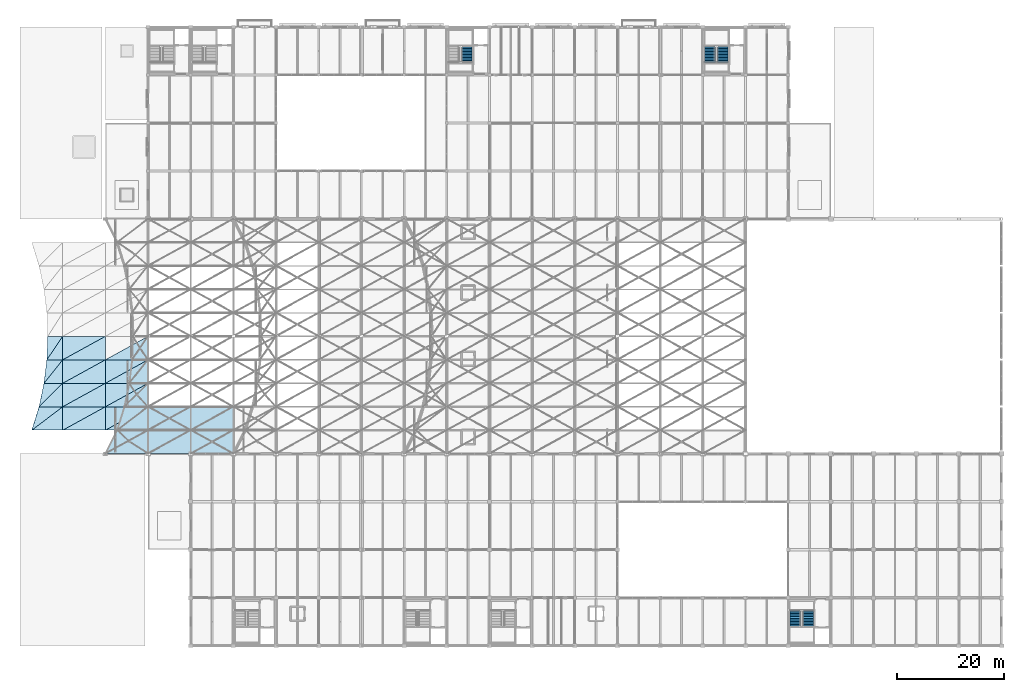
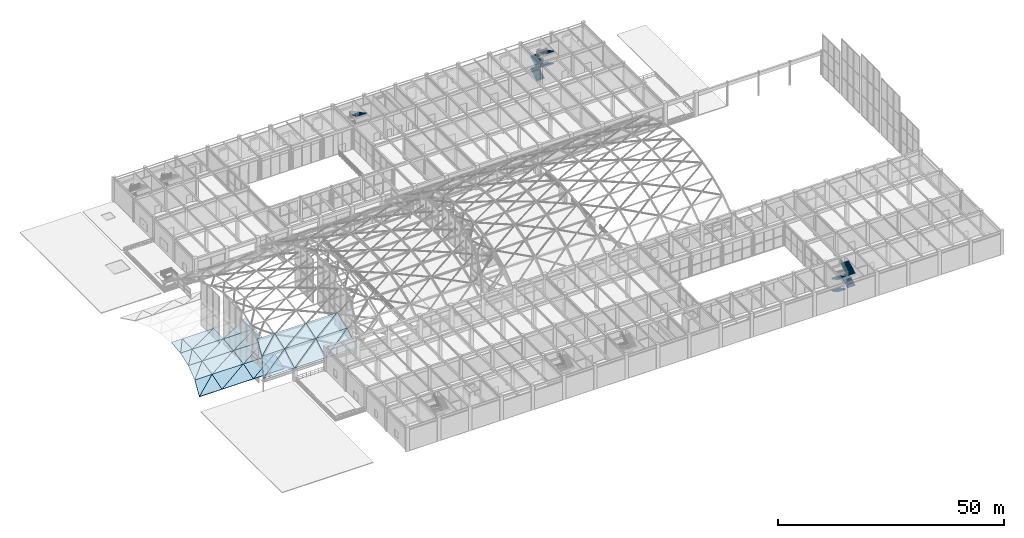
# One storey, part 137 of 163: 35 roofs, 9 stair flights, 3 elements without a shape of their own.
"""IFC4 building model written with IfcOpenShell, lengths in metres."""

from ifc_helpers import new_model, si_unit, direction, frame, origin, place, context, subcontext, project, spatial, polyline, outline, extrude, material, layer, layer_set, type_object, element, aggregate, save


model = new_model("IFC4")

# Units and contexts
model_context = context("Model", 3, precision=1e-05, world=origin(), true_north=direction((0.0, 1.0)))
body_context = subcontext(model_context, "Body", "Model", "MODEL_VIEW")
ifc_project = project(units=[si_unit("LENGTHUNIT", "METRE"), si_unit("AREAUNIT", "SQUARE_METRE"), si_unit("VOLUMEUNIT", "CUBIC_METRE"), si_unit("PLANEANGLEUNIT", "RADIAN"), si_unit("MASSUNIT", "GRAM", prefix="KILO")], contexts=[model_context])

# Site, building, storey
site_placement = place(None, origin())
site = spatial("IfcSite", under=ifc_project, at=site_placement, CompositionType="ELEMENT")
building_placement = place(site_placement, origin())
building = spatial("IfcBuilding", under=site, at=building_placement, Name="Varnabhumi Central Station", CompositionType="ELEMENT")
storey_placement = place(building_placement, frame((0.0, 0.0, 9.60009765625)))
storey = spatial("IfcBuildingStorey", under=building, at=storey_placement, Name="L02", CompositionType="ELEMENT", Elevation=9.60009765625)

# Stair, stair flight
ifc_material_1 = material(Name="Concrete M40", Category="concrete")
stair_type = type_object("IfcStairType", Name="STR-CORE-6600", PredefinedType="DOUBLE_RETURN_STAIR", material=ifc_material_1)
stair_1_placement = place(storey_placement, origin())
stair_1 = element("IfcStair", 1, at=stair_1_placement, inside=storey, type_object=stair_type, Name="Core Stair ST-N2 (L02)", PredefinedType="DOUBLE_RETURN_STAIR")
stair_flight_type = type_object("IfcStairFlightType", Name="FLT-CORE-6600", PredefinedType="STRAIGHT", material=ifc_material_1)
stair_flight_1_placement = place(storey_placement, frame((83.75, 112.27001953125, 4.949951171875), z_axis=(0.0, 0.0, 1.0), x_axis=(0.0, -1.0, 0.0)))
stair_flight_1 = element("IfcStairFlight", 2, at=stair_flight_1_placement, type_object=stair_flight_type, Name="ST-N2 L02 Flight 4", NumberOfRisers=11, NumberOfTreads=10, PredefinedType="STRAIGHT", RiserHeight=0.15, TreadLength=0.285, context=body_context, shape_type="SweptSolid", body=[
    extrude(outline(polyline([(-0.06005859375, -0.080078125), (-0.06005859375, 0.0), (0.0, 0.0), (0.0, 0.14990234375), (0.284912109375, 0.14990234375), (0.284912109375, 0.300048828125), (0.570068359375, 0.300048828125), (0.570068359375, 0.449951171875), (0.85498046875, 0.449951171875), (0.85498046875, 0.60009765625), (1.139892578125, 0.60009765625), (1.139892578125, 0.75), (1.425048828125, 0.75), (1.425048828125, 0.89990234375), (1.7099609375, 0.89990234375), (1.7099609375, 1.050048828125), (1.9951171875, 1.050048828125), (1.9951171875, 1.199951171875), (2.280029296875, 1.199951171875), (2.280029296875, 1.35009765625), (2.56494140625, 1.35009765625), (2.56494140625, 1.5), (2.85009765625, 1.5), (2.85009765625, 1.64990234375), (2.909912109375, 1.64990234375), (2.909912109375, 1.489990234375), (2.85009765625, 1.3193359375), (0.34326171875, -0.080078125), (-0.06005859375, -0.080078125)])), frame((0.0, 1.0, 0.0), z_axis=(0.0, -1.0, 0.0), x_axis=(1.0, 0.0, 0.0)), (0.0, 0.0, 1.0), 2.0),
])
aggregate(stair_1, [stair_flight_1])

# Stair, stair flights
stair_2_placement = place(storey_placement, origin())
stair_2 = element("IfcStair", 3, at=stair_2_placement, inside=storey, type_object=stair_type, Name="Core Stair ST-N3 (L02)", PredefinedType="DOUBLE_RETURN_STAIR")
stair_flight_2_placement = place(storey_placement, frame((129.35009765625, 109.419921875, 0.0), z_axis=(0.0, 0.0, 1.0), x_axis=(0.0, 1.0, 0.0)))
stair_flight_2 = element("IfcStairFlight", 4, at=stair_flight_2_placement, type_object=stair_flight_type, Name="ST-N3 L02 Flight 1", NumberOfRisers=11, NumberOfTreads=10, PredefinedType="STRAIGHT", RiserHeight=0.15, TreadLength=0.285, context=body_context, shape_type="SweptSolid", body=[
    extrude(outline(polyline([(-0.06005859375, -0.080078125), (-0.06005859375, 0.0), (0.0, 0.0), (0.0, 0.14990234375), (0.284912109375, 0.14990234375), (0.284912109375, 0.300048828125), (0.570068359375, 0.300048828125), (0.570068359375, 0.449951171875), (0.85498046875, 0.449951171875), (0.85498046875, 0.60009765625), (1.139892578125, 0.60009765625), (1.139892578125, 0.75), (1.425048828125, 0.75), (1.425048828125, 0.89990234375), (1.7099609375, 0.89990234375), (1.7099609375, 1.050048828125), (1.9951171875, 1.050048828125), (1.9951171875, 1.199951171875), (2.280029296875, 1.199951171875), (2.280029296875, 1.35009765625), (2.56494140625, 1.35009765625), (2.56494140625, 1.5), (2.85009765625, 1.5), (2.85009765625, 1.64990234375), (2.909912109375, 1.64990234375), (2.909912109375, 1.489990234375), (2.85009765625, 1.3193359375), (0.34326171875, -0.080078125), (-0.06005859375, -0.080078125)])), frame((0.0, 1.0, 0.0), z_axis=(0.0, -1.0, 0.0), x_axis=(1.0, 0.0, 0.0)), (0.0, 0.0, 1.0), 2.0),
])
stair_flight_3_placement = place(storey_placement, frame((131.75, 112.27001953125, 1.64990234375), z_axis=(0.0, 0.0, 1.0), x_axis=(0.0, -1.0, 0.0)))
stair_flight_3 = element("IfcStairFlight", 5, at=stair_flight_3_placement, type_object=stair_flight_type, Name="ST-N3 L02 Flight 2", NumberOfRisers=11, NumberOfTreads=10, PredefinedType="STRAIGHT", RiserHeight=0.15, TreadLength=0.285, context=body_context, shape_type="SweptSolid", body=[
    extrude(outline(polyline([(-0.06005859375, -0.080078125), (-0.06005859375, 0.0), (0.0, 0.0), (0.0, 0.14990234375), (0.284912109375, 0.14990234375), (0.284912109375, 0.300048828125), (0.570068359375, 0.300048828125), (0.570068359375, 0.449951171875), (0.85498046875, 0.449951171875), (0.85498046875, 0.60009765625), (1.139892578125, 0.60009765625), (1.139892578125, 0.75), (1.425048828125, 0.75), (1.425048828125, 0.89990234375), (1.7099609375, 0.89990234375), (1.7099609375, 1.050048828125), (1.9951171875, 1.050048828125), (1.9951171875, 1.199951171875), (2.280029296875, 1.199951171875), (2.280029296875, 1.35009765625), (2.56494140625, 1.35009765625), (2.56494140625, 1.5), (2.85009765625, 1.5), (2.85009765625, 1.64990234375), (2.909912109375, 1.64990234375), (2.909912109375, 1.489990234375), (2.85009765625, 1.3193359375), (0.34326171875, -0.080078125), (-0.06005859375, -0.080078125)])), frame((0.0, 1.0, 0.0), z_axis=(0.0, -1.0, 0.0), x_axis=(1.0, 0.0, 0.0)), (0.0, 0.0, 1.0), 2.0),
])
stair_flight_4_placement = place(storey_placement, frame((129.35009765625, 109.419921875, 3.2998046875), z_axis=(0.0, 0.0, 1.0), x_axis=(0.0, 1.0, 0.0)))
stair_flight_4 = element("IfcStairFlight", 6, at=stair_flight_4_placement, type_object=stair_flight_type, Name="ST-N3 L02 Flight 3", NumberOfRisers=11, NumberOfTreads=10, PredefinedType="STRAIGHT", RiserHeight=0.15, TreadLength=0.285, context=body_context, shape_type="SweptSolid", body=[
    extrude(outline(polyline([(-0.06005859375, -0.080078125), (-0.06005859375, 0.0), (0.0, 0.0), (0.0, 0.14990234375), (0.284912109375, 0.14990234375), (0.284912109375, 0.300048828125), (0.570068359375, 0.300048828125), (0.570068359375, 0.449951171875), (0.85498046875, 0.449951171875), (0.85498046875, 0.60009765625), (1.139892578125, 0.60009765625), (1.139892578125, 0.75), (1.425048828125, 0.75), (1.425048828125, 0.89990234375), (1.7099609375, 0.89990234375), (1.7099609375, 1.050048828125), (1.9951171875, 1.050048828125), (1.9951171875, 1.199951171875), (2.280029296875, 1.199951171875), (2.280029296875, 1.35009765625), (2.56494140625, 1.35009765625), (2.56494140625, 1.5), (2.85009765625, 1.5), (2.85009765625, 1.64990234375), (2.909912109375, 1.64990234375), (2.909912109375, 1.489990234375), (2.85009765625, 1.3193359375), (0.34326171875, -0.080078125), (-0.06005859375, -0.080078125)])), frame((0.0, 1.0, 0.0), z_axis=(0.0, -1.0, 0.0), x_axis=(1.0, 0.0, 0.0)), (0.0, 0.0, 1.0), 2.0),
])
stair_flight_5_placement = place(storey_placement, frame((131.75, 112.27001953125, 4.949951171875), z_axis=(0.0, 0.0, 1.0), x_axis=(0.0, -1.0, 0.0)))
stair_flight_5 = element("IfcStairFlight", 7, at=stair_flight_5_placement, type_object=stair_flight_type, Name="ST-N3 L02 Flight 4", NumberOfRisers=11, NumberOfTreads=10, PredefinedType="STRAIGHT", RiserHeight=0.15, TreadLength=0.285, context=body_context, shape_type="SweptSolid", body=[
    extrude(outline(polyline([(-0.06005859375, -0.080078125), (-0.06005859375, 0.0), (0.0, 0.0), (0.0, 0.14990234375), (0.284912109375, 0.14990234375), (0.284912109375, 0.300048828125), (0.570068359375, 0.300048828125), (0.570068359375, 0.449951171875), (0.85498046875, 0.449951171875), (0.85498046875, 0.60009765625), (1.139892578125, 0.60009765625), (1.139892578125, 0.75), (1.425048828125, 0.75), (1.425048828125, 0.89990234375), (1.7099609375, 0.89990234375), (1.7099609375, 1.050048828125), (1.9951171875, 1.050048828125), (1.9951171875, 1.199951171875), (2.280029296875, 1.199951171875), (2.280029296875, 1.35009765625), (2.56494140625, 1.35009765625), (2.56494140625, 1.5), (2.85009765625, 1.5), (2.85009765625, 1.64990234375), (2.909912109375, 1.64990234375), (2.909912109375, 1.489990234375), (2.85009765625, 1.3193359375), (0.34326171875, -0.080078125), (-0.06005859375, -0.080078125)])), frame((0.0, 1.0, 0.0), z_axis=(0.0, -1.0, 0.0), x_axis=(1.0, 0.0, 0.0)), (0.0, 0.0, 1.0), 2.0),
])
aggregate(stair_2, [stair_flight_2, stair_flight_3, stair_flight_4, stair_flight_5])

stair_3_placement = place(storey_placement, origin())
stair_3 = element("IfcStair", 8, at=stair_3_placement, inside=storey, type_object=stair_type, Name="Core Stair ST-S3 (L02)", PredefinedType="DOUBLE_RETURN_STAIR")
stair_flight_6_placement = place(storey_placement, frame((145.35009765625, 6.580078125, 0.0), z_axis=(0.0, 0.0, 1.0), x_axis=(0.0, -1.0, 0.0)))
stair_flight_6 = element("IfcStairFlight", 9, at=stair_flight_6_placement, type_object=stair_flight_type, Name="ST-S3 L02 Flight 1", NumberOfRisers=11, NumberOfTreads=10, PredefinedType="STRAIGHT", RiserHeight=0.15, TreadLength=0.285, context=body_context, shape_type="SweptSolid", body=[
    extrude(outline(polyline([(-0.06005859375, -0.080078125), (-0.06005859375, 0.0), (0.0, 0.0), (0.0, 0.14990234375), (0.284912109375, 0.14990234375), (0.284912109375, 0.300048828125), (0.570068359375, 0.300048828125), (0.570068359375, 0.449951171875), (0.85498046875, 0.449951171875), (0.85498046875, 0.60009765625), (1.139892578125, 0.60009765625), (1.139892578125, 0.75), (1.425048828125, 0.75), (1.425048828125, 0.89990234375), (1.7099609375, 0.89990234375), (1.7099609375, 1.050048828125), (1.9951171875, 1.050048828125), (1.9951171875, 1.199951171875), (2.280029296875, 1.199951171875), (2.280029296875, 1.35009765625), (2.56494140625, 1.35009765625), (2.56494140625, 1.5), (2.85009765625, 1.5), (2.85009765625, 1.64990234375), (2.909912109375, 1.64990234375), (2.909912109375, 1.489990234375), (2.85009765625, 1.3193359375), (0.34326171875, -0.080078125), (-0.06005859375, -0.080078125)])), frame((0.0, 1.0, 0.0), z_axis=(0.0, -1.0, 0.0), x_axis=(1.0, 0.0, 0.0)), (0.0, 0.0, 1.0), 2.0),
])
stair_flight_7_placement = place(storey_placement, frame((147.75, 3.72998046875, 1.64990234375), z_axis=(0.0, 0.0, 1.0), x_axis=(0.0, 1.0, 0.0)))
stair_flight_7 = element("IfcStairFlight", 10, at=stair_flight_7_placement, type_object=stair_flight_type, Name="ST-S3 L02 Flight 2", NumberOfRisers=11, NumberOfTreads=10, PredefinedType="STRAIGHT", RiserHeight=0.15, TreadLength=0.285, context=body_context, shape_type="SweptSolid", body=[
    extrude(outline(polyline([(-0.06005859375, -0.080078125), (-0.06005859375, 0.0), (0.0, 0.0), (0.0, 0.14990234375), (0.284912109375, 0.14990234375), (0.284912109375, 0.300048828125), (0.570068359375, 0.300048828125), (0.570068359375, 0.449951171875), (0.85498046875, 0.449951171875), (0.85498046875, 0.60009765625), (1.139892578125, 0.60009765625), (1.139892578125, 0.75), (1.425048828125, 0.75), (1.425048828125, 0.89990234375), (1.7099609375, 0.89990234375), (1.7099609375, 1.050048828125), (1.9951171875, 1.050048828125), (1.9951171875, 1.199951171875), (2.280029296875, 1.199951171875), (2.280029296875, 1.35009765625), (2.56494140625, 1.35009765625), (2.56494140625, 1.5), (2.85009765625, 1.5), (2.85009765625, 1.64990234375), (2.909912109375, 1.64990234375), (2.909912109375, 1.489990234375), (2.85009765625, 1.3193359375), (0.34326171875, -0.080078125), (-0.06005859375, -0.080078125)])), frame((0.0, 1.0, 0.0), z_axis=(0.0, -1.0, 0.0), x_axis=(1.0, 0.0, 0.0)), (0.0, 0.0, 1.0), 2.0),
])
stair_flight_8_placement = place(storey_placement, frame((145.35009765625, 6.580078125, 3.2998046875), z_axis=(0.0, 0.0, 1.0), x_axis=(0.0, -1.0, 0.0)))
stair_flight_8 = element("IfcStairFlight", 11, at=stair_flight_8_placement, type_object=stair_flight_type, Name="ST-S3 L02 Flight 3", NumberOfRisers=11, NumberOfTreads=10, PredefinedType="STRAIGHT", RiserHeight=0.15, TreadLength=0.285, context=body_context, shape_type="SweptSolid", body=[
    extrude(outline(polyline([(-0.06005859375, -0.080078125), (-0.06005859375, 0.0), (0.0, 0.0), (0.0, 0.14990234375), (0.284912109375, 0.14990234375), (0.284912109375, 0.300048828125), (0.570068359375, 0.300048828125), (0.570068359375, 0.449951171875), (0.85498046875, 0.449951171875), (0.85498046875, 0.60009765625), (1.139892578125, 0.60009765625), (1.139892578125, 0.75), (1.425048828125, 0.75), (1.425048828125, 0.89990234375), (1.7099609375, 0.89990234375), (1.7099609375, 1.050048828125), (1.9951171875, 1.050048828125), (1.9951171875, 1.199951171875), (2.280029296875, 1.199951171875), (2.280029296875, 1.35009765625), (2.56494140625, 1.35009765625), (2.56494140625, 1.5), (2.85009765625, 1.5), (2.85009765625, 1.64990234375), (2.909912109375, 1.64990234375), (2.909912109375, 1.489990234375), (2.85009765625, 1.3193359375), (0.34326171875, -0.080078125), (-0.06005859375, -0.080078125)])), frame((0.0, 1.0, 0.0), z_axis=(0.0, -1.0, 0.0), x_axis=(1.0, 0.0, 0.0)), (0.0, 0.0, 1.0), 2.0),
])
stair_flight_9_placement = place(storey_placement, frame((147.75, 3.72998046875, 4.949951171875), z_axis=(0.0, 0.0, 1.0), x_axis=(0.0, 1.0, 0.0)))
stair_flight_9 = element("IfcStairFlight", 12, at=stair_flight_9_placement, type_object=stair_flight_type, Name="ST-S3 L02 Flight 4", NumberOfRisers=11, NumberOfTreads=10, PredefinedType="STRAIGHT", RiserHeight=0.15, TreadLength=0.285, context=body_context, shape_type="SweptSolid", body=[
    extrude(outline(polyline([(-0.06005859375, -0.080078125), (-0.06005859375, 0.0), (0.0, 0.0), (0.0, 0.14990234375), (0.284912109375, 0.14990234375), (0.284912109375, 0.300048828125), (0.570068359375, 0.300048828125), (0.570068359375, 0.449951171875), (0.85498046875, 0.449951171875), (0.85498046875, 0.60009765625), (1.139892578125, 0.60009765625), (1.139892578125, 0.75), (1.425048828125, 0.75), (1.425048828125, 0.89990234375), (1.7099609375, 0.89990234375), (1.7099609375, 1.050048828125), (1.9951171875, 1.050048828125), (1.9951171875, 1.199951171875), (2.280029296875, 1.199951171875), (2.280029296875, 1.35009765625), (2.56494140625, 1.35009765625), (2.56494140625, 1.5), (2.85009765625, 1.5), (2.85009765625, 1.64990234375), (2.909912109375, 1.64990234375), (2.909912109375, 1.489990234375), (2.85009765625, 1.3193359375), (0.34326171875, -0.080078125), (-0.06005859375, -0.080078125)])), frame((0.0, 1.0, 0.0), z_axis=(0.0, -1.0, 0.0), x_axis=(1.0, 0.0, 0.0)), (0.0, 0.0, 1.0), 2.0),
])
aggregate(stair_3, [stair_flight_6, stair_flight_7, stair_flight_8, stair_flight_9])

# Roofs
ifc_material_2 = material(Name="Champagne bronze diamond metal panel")
ifc_layer = layer(ifc_material_2, 0.159912109375, Name="Champagne bronze diamond metal panel")
ifc_layer_set = layer_set([ifc_layer], Name="Champagne bronze diamond metal panel")
roof_type = type_object("IfcRoofType", Name="ROOF-VAULT-BARREL", PredefinedType="BARREL_ROOF", material=ifc_layer_set)
roof_1_placement = place(storey_placement, frame((2.2138671875, 40.39990234375, 0.593505859375), z_axis=(0.0, -0.295947424057, 0.95520423062), x_axis=(1.0, 0.0, 0.0)))
element("IfcRoof", 13, at=roof_1_placement, inside=storey, type_object=roof_type, Name="Forecourt Arrival Canopy Vault Diamond Shell Panel 1-2A", PredefinedType="BARREL_ROOF", context=body_context, shape_type="SweptSolid", body=[
    extrude(outline(polyline([(0.0, 0.0), (5.7861328125, 0.0), (5.7861328125, 4.60649811142469), (0.0, 0.0)])), origin(), (0.0, 0.0, -1.0), 0.159912109375),
])
roof_2_placement = place(storey_placement, frame((2.2138671875, 40.39990234375, 0.593505859375), z_axis=(0.0, -0.295947424057, 0.95520423062), x_axis=(0.782344580345, 0.594944994581, 0.184329626019)))
element("IfcRoof", 14, at=roof_2_placement, inside=storey, type_object=roof_type, Name="Forecourt Arrival Canopy Vault Diamond Shell Panel 1-2B", PredefinedType="BARREL_ROOF", context=body_context, shape_type="SweptSolid", body=[
    extrude(outline(polyline([(0.0, 0.0), (7.3958878962872605, 3.3306690738754696e-16), (3.9358849487894947, 2.754602695731385), (0.0, 0.0)])), origin(), (0.0, 0.0, -1.0), 0.159912109375),
])
roof_3_placement = place(storey_placement, frame((3.577392578125, 44.800048828125, 1.952880859375), z_axis=(0.0, -0.20340317008, 0.979095067091), x_axis=(1.0, 0.0, 0.0)))
element("IfcRoof", 15, at=roof_3_placement, inside=storey, type_object=roof_type, Name="Forecourt Arrival Canopy Vault Diamond Shell Panel 1-3A", PredefinedType="BARREL_ROOF", context=body_context, shape_type="SweptSolid", body=[
    extrude(outline(polyline([(0.0, 0.0), (4.422607421875, 0.0), (4.422607421875, 4.493845890597828), (0.0, 0.0)])), origin(), (0.0, 0.0, -1.0), 0.159912109375),
])
roof_4_placement = place(storey_placement, frame((3.577392578125, 44.800048828125, 1.952880859375), z_axis=(0.0, -0.20340317008, 0.979095067091), x_axis=(0.701434927713, 0.697833854112, 0.144972253346)))
element("IfcRoof", 16, at=roof_4_placement, inside=storey, type_object=roof_type, Name="Forecourt Arrival Canopy Vault Diamond Shell Panel 1-3B", PredefinedType="BARREL_ROOF", context=body_context, shape_type="SweptSolid", body=[
    extrude(outline(polyline([(0.0, 0.0), (6.305085827843015, -6.938893903907228e-16), (3.844069874191105, 2.500657502475225), (0.0, 0.0)])), origin(), (0.0, 0.0, -1.0), 0.159912109375),
])
roof_5_placement = place(storey_placement, frame((4.491455078125, 49.199951171875, 2.86474609375), z_axis=(0.0, -0.120244182838, 0.992744345989), x_axis=(1.0, 0.0, 0.0)))
element("IfcRoof", 17, at=roof_5_placement, inside=storey, type_object=roof_type, Name="Forecourt Arrival Canopy Vault Diamond Shell Panel 1-4A", PredefinedType="BARREL_ROOF", context=body_context, shape_type="SweptSolid", body=[
    extrude(outline(polyline([(0.0, 0.0), (3.508544921875, 0.0), (3.508544921875, 4.4323057614500945), (0.0, 0.0)])), origin(), (0.0, 0.0, -1.0), 0.159912109375),
])
roof_6_placement = place(storey_placement, frame((4.491455078125, 49.199951171875, 2.86474609375), z_axis=(0.0, -0.120244182838, 0.992744345989), x_axis=(0.620663381255, 0.778388151162, 0.094280715418)))
element("IfcRoof", 18, at=roof_6_placement, inside=storey, type_object=roof_type, Name="Forecourt Arrival Canopy Vault Diamond Shell Panel 1-4B", PredefinedType="BARREL_ROOF", context=body_context, shape_type="SweptSolid", body=[
    extrude(outline(polyline([(0.0, 0.0), (5.652894995645909, 6.869504964868156e-16), (3.8060577664634128, 2.3330889225130877), (0.0, 0.0)])), origin(), (0.0, 0.0, -1.0), 0.159912109375),
])
roof_7_placement = place(storey_placement, frame((5.0244140625, 53.60009765625, 3.396484375), z_axis=(0.0, -0.039919325954, 0.999202906028), x_axis=(1.0, 0.0, 0.0)))
element("IfcRoof", 19, at=roof_7_placement, inside=storey, type_object=roof_type, Name="Forecourt Arrival Canopy Vault Diamond Shell Panel 1-5A", PredefinedType="BARREL_ROOF", context=body_context, shape_type="SweptSolid", body=[
    extrude(outline(polyline([(0.0, 0.0), (2.9755859375, 0.0), (2.9755859375, 4.403412277131033), (0.0, 0.0)])), origin(), (0.0, 0.0, -1.0), 0.159912109375),
])
roof_8_placement = place(storey_placement, frame((5.0244140625, 53.60009765625, 3.396484375), z_axis=(0.0, -0.039919325954, 0.999202906028), x_axis=(0.559897118648, 0.827901696116, 0.03307564206)))
element("IfcRoof", 20, at=roof_8_placement, inside=storey, type_object=roof_type, Name="Forecourt Arrival Canopy Vault Diamond Shell Panel 1-5B", PredefinedType="BARREL_ROOF", context=body_context, shape_type="SweptSolid", body=[
    extrude(outline(polyline([(0.0, 0.0), (5.314522683537635, 1.734723475976807e-17), (3.7467834125978756, 2.320014443540699), (0.0, 0.0)])), origin(), (0.0, 0.0, -1.0), 0.159912109375),
])
roof_9_placement = place(storey_placement, frame((8.0, 40.39990234375, 0.593505859375), z_axis=(0.0, -0.295947424057, 0.95520423062), x_axis=(1.0, 0.0, 0.0)))
element("IfcRoof", 21, at=roof_9_placement, inside=storey, type_object=roof_type, Name="Forecourt Arrival Canopy Vault Diamond Shell Panel 2-2A", PredefinedType="BARREL_ROOF", context=body_context, shape_type="SweptSolid", body=[
    extrude(outline(polyline([(0.0, 0.0), (8.0, 0.0), (8.0, 4.60649811142469), (0.0, 0.0)])), origin(), (0.0, 0.0, -1.0), 0.159912109375),
])
roof_10_placement = place(storey_placement, frame((8.0, 40.39990234375, 0.593505859375), z_axis=(0.0, -0.295947424057, 0.95520423062), x_axis=(0.86660196281, 0.476646947501, 0.147677775889)))
element("IfcRoof", 22, at=roof_10_placement, inside=storey, type_object=roof_type, Name="Forecourt Arrival Canopy Vault Diamond Shell Panel 2-2B", PredefinedType="BARREL_ROOF", context=body_context, shape_type="SweptSolid", body=[
    extrude(outline(polyline([(0.0, 0.0), (9.23145843572722, 4.996003610813204e-16), (2.2986427332473407, 3.9920003050411244), (0.0, 0.0)])), origin(), (0.0, 0.0, -1.0), 0.159912109375),
])
roof_11_placement = place(storey_placement, frame((8.0, 44.800048828125, 1.952880859375), z_axis=(0.0, -0.20340317008, 0.979095067091), x_axis=(1.0, 0.0, 0.0)))
element("IfcRoof", 23, at=roof_11_placement, inside=storey, type_object=roof_type, Name="Forecourt Arrival Canopy Vault Diamond Shell Panel 2-3A", PredefinedType="BARREL_ROOF", context=body_context, shape_type="SweptSolid", body=[
    extrude(outline(polyline([(0.0, 0.0), (8.0, 0.0), (8.0, 4.493845890597829), (0.0, 0.0)])), origin(), (0.0, 0.0, -1.0), 0.159912109375),
])
roof_12_placement = place(storey_placement, frame((8.0, 44.800048828125, 1.952880859375), z_axis=(0.0, -0.20340317008, 0.979095067091), x_axis=(0.871861974597, 0.479513443182, 0.099617042019)))
element("IfcRoof", 24, at=roof_12_placement, inside=storey, type_object=roof_type, Name="Forecourt Arrival Canopy Vault Diamond Shell Panel 2-3B", PredefinedType="BARREL_ROOF", context=body_context, shape_type="SweptSolid", body=[
    extrude(outline(polyline([(0.0, 0.0), (9.175764321757779, -3.3306690738754696e-16), (2.20086852498565, 3.9180133517090625), (0.0, 0.0)])), origin(), (0.0, 0.0, -1.0), 0.159912109375),
])
roof_13_placement = place(storey_placement, frame((8.0, 49.199951171875, 2.86474609375), z_axis=(0.0, -0.120244182838, 0.992744345989), x_axis=(1.0, 0.0, 0.0)))
element("IfcRoof", 25, at=roof_13_placement, inside=storey, type_object=roof_type, Name="Forecourt Arrival Canopy Vault Diamond Shell Panel 2-4A", PredefinedType="BARREL_ROOF", context=body_context, shape_type="SweptSolid", body=[
    extrude(outline(polyline([(0.0, 0.0), (8.0, 0.0), (8.0, 4.4323057614500945), (0.0, 0.0)])), origin(), (0.0, 0.0, -1.0), 0.159912109375),
])
roof_14_placement = place(storey_placement, frame((8.0, 49.199951171875, 2.86474609375), z_axis=(0.0, -0.120244182838, 0.992744345989), x_axis=(0.874720140327, 0.481112093784, 0.0582737447)))
element("IfcRoof", 26, at=roof_14_placement, inside=storey, type_object=roof_type, Name="Forecourt Arrival Canopy Vault Diamond Shell Panel 2-4B", PredefinedType="BARREL_ROOF", context=body_context, shape_type="SweptSolid", body=[
    extrude(outline(polyline([(0.0, 0.0), (9.14578232645976, 4.85722573273506e-17), (2.1480212038447033, 3.877027117627275), (0.0, 0.0)])), origin(), (0.0, 0.0, -1.0), 0.159912109375),
])
roof_15_placement = place(storey_placement, frame((8.0, 53.60009765625, 3.396484375), z_axis=(0.0, -0.039919325954, 0.999202906028), x_axis=(1.0, 0.0, 0.0)))
element("IfcRoof", 27, at=roof_15_placement, inside=storey, type_object=roof_type, Name="Forecourt Arrival Canopy Vault Diamond Shell Panel 2-5A", PredefinedType="BARREL_ROOF", context=body_context, shape_type="SweptSolid", body=[
    extrude(outline(polyline([(0.0, 0.0), (8.0, 0.0), (8.0, 4.403412277131033), (0.0, 0.0)])), origin(), (0.0, 0.0, -1.0), 0.159912109375),
])
roof_16_placement = place(storey_placement, frame((8.0, 53.60009765625, 3.396484375), z_axis=(0.0, -0.039919325954, 0.999202906028), x_axis=(0.876058074368, 0.481821246834, 0.019249322923)))
element("IfcRoof", 28, at=roof_16_placement, inside=storey, type_object=roof_type, Name="Forecourt Arrival Canopy Vault Diamond Shell Panel 2-5B", PredefinedType="BARREL_ROOF", context=body_context, shape_type="SweptSolid", body=[
    extrude(outline(polyline([(0.0, 0.0), (9.131814698206941, 2.3418766925686896e-17), (2.123350103259936, 3.8576448801534764), (0.0, 0.0)])), origin(), (0.0, 0.0, -1.0), 0.159912109375),
])
roof_17_placement = place(storey_placement, frame((16.0, 40.39990234375, 0.593505859375), z_axis=(0.0, -0.295947424057, 0.95520423062), x_axis=(1.0, 0.0, 0.0)))
element("IfcRoof", 29, at=roof_17_placement, inside=storey, type_object=roof_type, Name="Forecourt Arrival Canopy Vault Diamond Shell Panel 3-2A", PredefinedType="BARREL_ROOF", context=body_context, shape_type="SweptSolid", body=[
    extrude(outline(polyline([(0.0, 0.0), (8.0, 0.0), (8.0, 4.60649811142469), (0.0, 0.0)])), origin(), (0.0, 0.0, -1.0), 0.159912109375),
])
roof_18_placement = place(storey_placement, frame((16.0, 40.39990234375, 0.593505859375), z_axis=(0.0, -0.295947424057, 0.95520423062), x_axis=(0.86660196281, 0.476646947501, 0.147677775889)))
element("IfcRoof", 30, at=roof_18_placement, inside=storey, type_object=roof_type, Name="Forecourt Arrival Canopy Vault Diamond Shell Panel 3-2B", PredefinedType="BARREL_ROOF", context=body_context, shape_type="SweptSolid", body=[
    extrude(outline(polyline([(0.0, 0.0), (9.23145843572722, 4.996003610813204e-16), (2.2986427332473407, 3.9920003050411244), (0.0, 0.0)])), origin(), (0.0, 0.0, -1.0), 0.159912109375),
])
roof_19_placement = place(storey_placement, frame((16.0, 44.800048828125, 1.952880859375), z_axis=(0.0, -0.20340317008, 0.979095067091), x_axis=(1.0, 0.0, 0.0)))
element("IfcRoof", 31, at=roof_19_placement, inside=storey, type_object=roof_type, Name="Forecourt Arrival Canopy Vault Diamond Shell Panel 3-3A", PredefinedType="BARREL_ROOF", context=body_context, shape_type="SweptSolid", body=[
    extrude(outline(polyline([(0.0, 0.0), (8.0, 0.0), (8.0, 4.493845890597829), (0.0, 0.0)])), origin(), (0.0, 0.0, -1.0), 0.159912109375),
])
roof_20_placement = place(storey_placement, frame((16.0, 44.800048828125, 1.952880859375), z_axis=(0.0, -0.20340317008, 0.979095067091), x_axis=(0.871861974597, 0.479513443182, 0.099617042019)))
element("IfcRoof", 32, at=roof_20_placement, inside=storey, type_object=roof_type, Name="Forecourt Arrival Canopy Vault Diamond Shell Panel 3-3B", PredefinedType="BARREL_ROOF", context=body_context, shape_type="SweptSolid", body=[
    extrude(outline(polyline([(0.0, 0.0), (9.175764321757779, -3.3306690738754696e-16), (2.20086852498565, 3.9180133517090625), (0.0, 0.0)])), origin(), (0.0, 0.0, -1.0), 0.159912109375),
])
roof_21_placement = place(storey_placement, frame((16.0, 49.199951171875, 2.86474609375), z_axis=(0.0, -0.120244182838, 0.992744345989), x_axis=(1.0, 0.0, 0.0)))
element("IfcRoof", 33, at=roof_21_placement, inside=storey, type_object=roof_type, Name="Forecourt Arrival Canopy Vault Diamond Shell Panel 3-4A", PredefinedType="BARREL_ROOF", context=body_context, shape_type="SweptSolid", body=[
    extrude(outline(polyline([(0.0, 0.0), (8.0, 0.0), (8.0, 4.4323057614500945), (0.0, 0.0)])), origin(), (0.0, 0.0, -1.0), 0.159912109375),
])
roof_22_placement = place(storey_placement, frame((16.0, 49.199951171875, 2.86474609375), z_axis=(0.0, -0.120244182838, 0.992744345989), x_axis=(0.874720140327, 0.481112093784, 0.0582737447)))
element("IfcRoof", 34, at=roof_22_placement, inside=storey, type_object=roof_type, Name="Forecourt Arrival Canopy Vault Diamond Shell Panel 3-4B", PredefinedType="BARREL_ROOF", context=body_context, shape_type="SweptSolid", body=[
    extrude(outline(polyline([(0.0, 0.0), (9.14578232645976, 4.85722573273506e-17), (2.1480212038447033, 3.877027117627275), (0.0, 0.0)])), origin(), (0.0, 0.0, -1.0), 0.159912109375),
])
roof_23_placement = place(storey_placement, frame((16.0, 53.60009765625, 3.396484375), z_axis=(0.0, -0.039919325954, 0.999202906028), x_axis=(1.0, 0.0, 0.0)))
element("IfcRoof", 35, at=roof_23_placement, inside=storey, type_object=roof_type, Name="Forecourt Arrival Canopy Vault Diamond Shell Panel 3-5A", PredefinedType="BARREL_ROOF", context=body_context, shape_type="SweptSolid", body=[
    extrude(outline(polyline([(0.0, 0.0), (8.0, 0.0), (8.0, 4.403412277131033), (0.0, 0.0)])), origin(), (0.0, 0.0, -1.0), 0.159912109375),
])
roof_24_placement = place(storey_placement, frame((16.0, 36.0, 3.37158203125), z_axis=(0.0, -0.502121625762, 0.864797012565), x_axis=(1.0, 0.0, 0.0)))
element("IfcRoof", 36, at=roof_24_placement, inside=storey, type_object=roof_type, Name="Entrance Portico Vault Diamond Shell Panel 1-1A", PredefinedType="BARREL_ROOF", context=body_context, shape_type="SweptSolid", body=[
    extrude(outline(polyline([(0.0, 0.0), (8.0, 0.0), (8.0, 5.087786243268578), (0.0, 0.0)])), origin(), (0.0, 0.0, -1.0), 0.159912109375),
])
roof_25_placement = place(storey_placement, frame((16.0, 36.0, 3.37158203125), z_axis=(0.0, -0.502121625762, 0.864797012565), x_axis=(0.843810647871, 0.464085555906, 0.26945906431)))
element("IfcRoof", 37, at=roof_25_placement, inside=storey, type_object=roof_type, Name="Entrance Portico Vault Diamond Shell Panel 1-1B", PredefinedType="BARREL_ROOF", context=body_context, shape_type="SweptSolid", body=[
    extrude(outline(polyline([(0.0, 0.0), (9.480800011454361, -2.220446049250313e-16), (4.598399534271504, 3.1050762477423604), (0.0, 0.0)])), origin(), (0.0, 0.0, -1.0), 0.159912109375),
])
roof_26_placement = place(storey_placement, frame((18.2138671875, 40.39990234375, 5.9111328125), z_axis=(0.0, -0.336670653094, 0.941622467523), x_axis=(1.0, 0.0, 0.0)))
element("IfcRoof", 38, at=roof_26_placement, inside=storey, type_object=roof_type, Name="Entrance Portico Vault Diamond Shell Panel 1-2A", PredefinedType="BARREL_ROOF", context=body_context, shape_type="SweptSolid", body=[
    extrude(outline(polyline([(0.0, 0.0), (5.7861328125, 0.0), (5.7861328125, 4.6729412648232005), (0.0, 0.0)])), origin(), (0.0, 0.0, -1.0), 0.159912109375),
])
roof_27_placement = place(storey_placement, frame((18.2138671875, 40.39990234375, 5.9111328125), z_axis=(0.0, -0.336670653094, 0.941622467523), x_axis=(0.777972312021, 0.591620041331, 0.211529686863)))
element("IfcRoof", 39, at=roof_27_placement, inside=storey, type_object=roof_type, Name="Entrance Portico Vault Diamond Shell Panel 1-2B", PredefinedType="BARREL_ROOF", context=body_context, shape_type="SweptSolid", body=[
    extrude(outline(polyline([(0.0, 0.0), (7.437453394030555, 0.0), (3.996787272874645, 2.778717878942333), (0.0, 0.0)])), origin(), (0.0, 0.0, -1.0), 0.159912109375),
])
roof_28_placement = place(storey_placement, frame((24.0, 36.0, 3.37158203125), z_axis=(0.0, -0.502121625762, 0.864797012565), x_axis=(1.0, 0.0, 0.0)))
element("IfcRoof", 40, at=roof_28_placement, inside=storey, type_object=roof_type, Name="Entrance Portico Vault Diamond Shell Panel 2-1A", PredefinedType="BARREL_ROOF", context=body_context, shape_type="SweptSolid", body=[
    extrude(outline(polyline([(0.0, 0.0), (8.0, 0.0), (8.0, 5.087786243268578), (0.0, 0.0)])), origin(), (0.0, 0.0, -1.0), 0.159912109375),
])
roof_29_placement = place(storey_placement, frame((24.0, 36.0, 3.37158203125), z_axis=(0.0, -0.502121625762, 0.864797012565), x_axis=(0.843810647871, 0.464085555906, 0.26945906431)))
element("IfcRoof", 41, at=roof_29_placement, inside=storey, type_object=roof_type, Name="Entrance Portico Vault Diamond Shell Panel 2-1B", PredefinedType="BARREL_ROOF", context=body_context, shape_type="SweptSolid", body=[
    extrude(outline(polyline([(0.0, 0.0), (9.480800011454361, -2.220446049250313e-16), (2.7303148284869403, 4.293128206161252), (0.0, 0.0)])), origin(), (0.0, 0.0, -1.0), 0.159912109375),
])
roof_30_placement = place(storey_placement, frame((24.0, 40.39990234375, 5.9111328125), z_axis=(0.0, -0.336670653094, 0.941622467523), x_axis=(1.0, 0.0, 0.0)))
element("IfcRoof", 42, at=roof_30_placement, inside=storey, type_object=roof_type, Name="Entrance Portico Vault Diamond Shell Panel 2-2A", PredefinedType="BARREL_ROOF", context=body_context, shape_type="SweptSolid", body=[
    extrude(outline(polyline([(0.0, 0.0), (8.0, 0.0), (8.0, 4.6729412648232005), (0.0, 0.0)])), origin(), (0.0, 0.0, -1.0), 0.159912109375),
])
roof_31_placement = place(storey_placement, frame((24.0, 40.39990234375, 5.9111328125), z_axis=(0.0, -0.336670653094, 0.941622467523), x_axis=(0.86348399062, 0.474932005705, 0.169808680284)))
element("IfcRoof", 43, at=roof_31_placement, inside=storey, type_object=roof_type, Name="Entrance Portico Vault Diamond Shell Panel 2-2B", PredefinedType="BARREL_ROOF", context=body_context, shape_type="SweptSolid", body=[
    extrude(outline(polyline([(0.0, 0.0), (9.264792499807402, 5.551115123125783e-17), (2.3569205748473485, 4.035009971282438), (0.0, 0.0)])), origin(), (0.0, 0.0, -1.0), 0.159912109375),
])
roof_32_placement = place(storey_placement, frame((32.0, 36.0, 3.37158203125), z_axis=(0.0, -0.502121625762, 0.864797012565), x_axis=(1.0, 0.0, 0.0)))
element("IfcRoof", 44, at=roof_32_placement, inside=storey, type_object=roof_type, Name="Entrance Portico Vault Diamond Shell Panel 3-1A", PredefinedType="BARREL_ROOF", context=body_context, shape_type="SweptSolid", body=[
    extrude(outline(polyline([(0.0, 0.0), (8.0, 0.0), (8.0, 5.087786243268578), (0.0, 0.0)])), origin(), (0.0, 0.0, -1.0), 0.159912109375),
])
roof_33_placement = place(storey_placement, frame((32.0, 36.0, 3.37158203125), z_axis=(0.0, -0.502121625762, 0.864797012565), x_axis=(0.843810647871, 0.464085555906, 0.26945906431)))
element("IfcRoof", 45, at=roof_33_placement, inside=storey, type_object=roof_type, Name="Entrance Portico Vault Diamond Shell Panel 3-1B", PredefinedType="BARREL_ROOF", context=body_context, shape_type="SweptSolid", body=[
    extrude(outline(polyline([(0.0, 0.0), (9.480800011454361, -2.220446049250313e-16), (2.7303148284869403, 4.293128206161252), (0.0, 0.0)])), origin(), (0.0, 0.0, -1.0), 0.159912109375),
])
roof_34_placement = place(storey_placement, frame((32.0, 40.39990234375, 5.9111328125), z_axis=(0.0, -0.336670653094, 0.941622467523), x_axis=(1.0, 0.0, 0.0)))
element("IfcRoof", 46, at=roof_34_placement, inside=storey, type_object=roof_type, Name="Entrance Portico Vault Diamond Shell Panel 3-2A", PredefinedType="BARREL_ROOF", context=body_context, shape_type="SweptSolid", body=[
    extrude(outline(polyline([(0.0, 0.0), (8.0, 0.0), (8.0, 4.6729412648232005), (0.0, 0.0)])), origin(), (0.0, 0.0, -1.0), 0.159912109375),
])
roof_35_placement = place(storey_placement, frame((32.0, 40.39990234375, 5.9111328125), z_axis=(0.0, -0.336670653094, 0.941622467523), x_axis=(0.86348399062, 0.474932005705, 0.169808680284)))
element("IfcRoof", 47, at=roof_35_placement, inside=storey, type_object=roof_type, Name="Entrance Portico Vault Diamond Shell Panel 3-2B", PredefinedType="BARREL_ROOF", context=body_context, shape_type="SweptSolid", body=[
    extrude(outline(polyline([(0.0, 0.0), (9.264792499807402, 5.551115123125783e-17), (2.3569205748473485, 4.035009971282438), (0.0, 0.0)])), origin(), (0.0, 0.0, -1.0), 0.159912109375),
])

save(model, "model.ifc")
